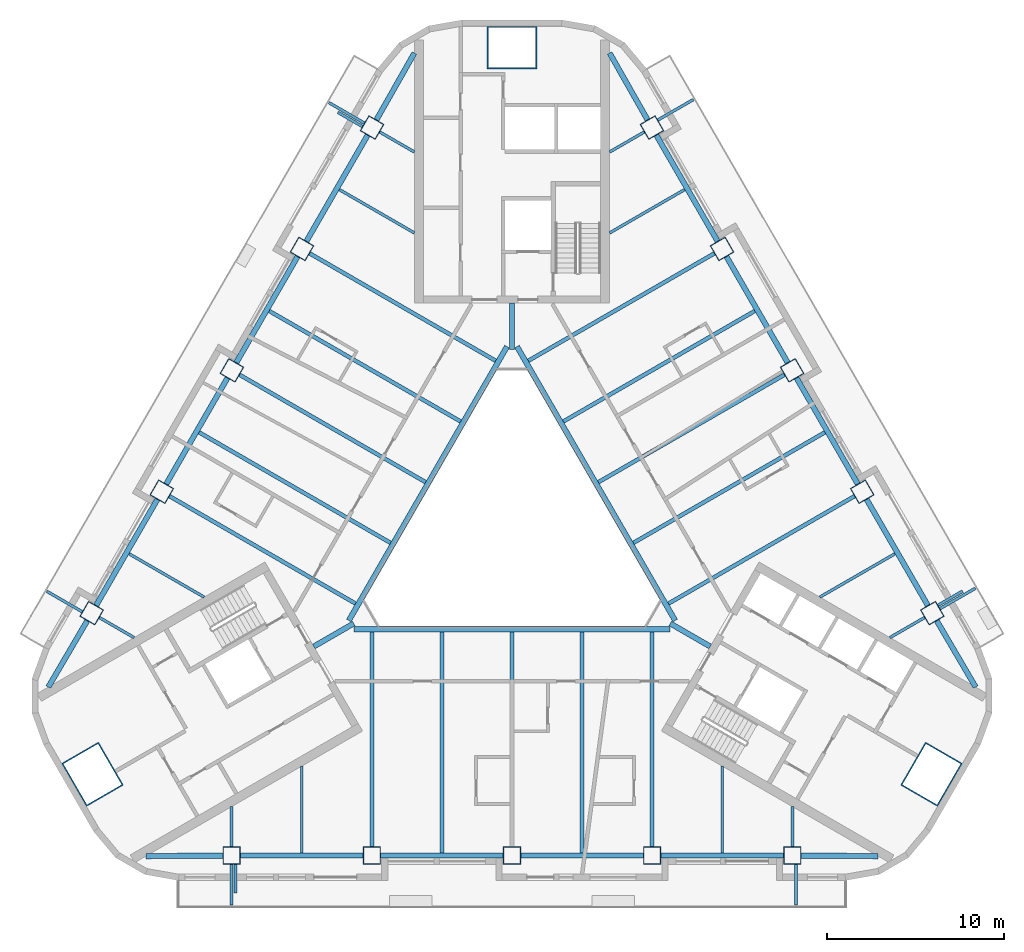
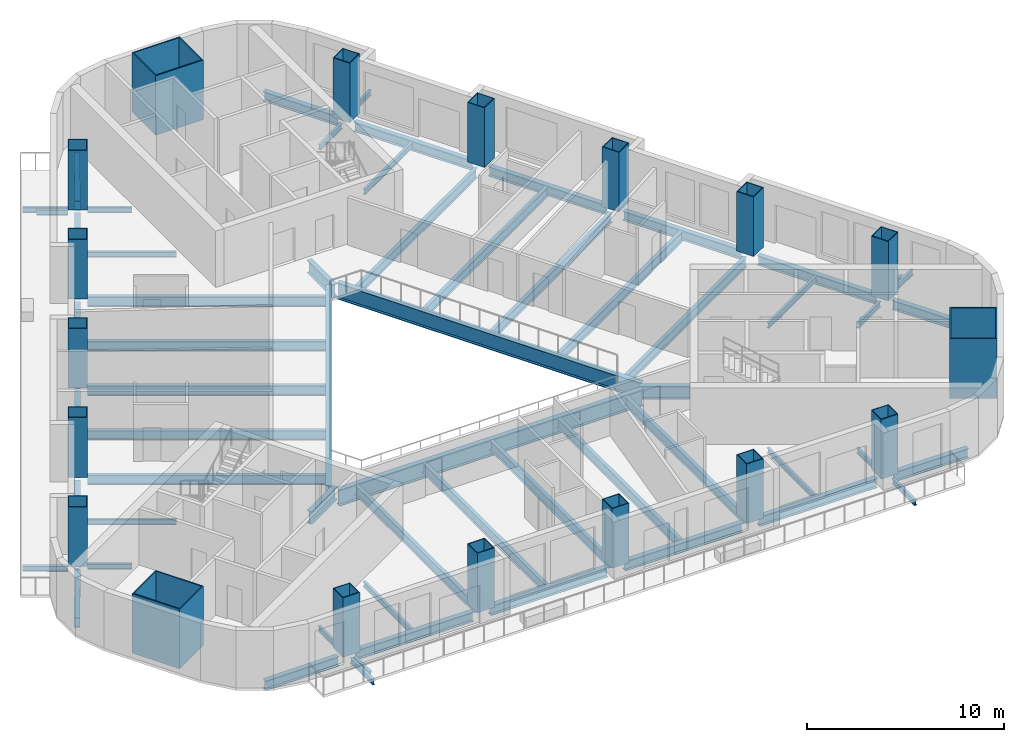
# One storey, part 1 of 13: 60 beams, 18 columns.
"""IFC4 building model written with IfcOpenShell, lengths in metres."""

from ifc_helpers import new_model, si_unit, direction, frame, origin, origin_2d, place, context, subcontext, project, spatial, rectangle, hollow_rectangle, i_section, extrude, material, material_profile, profile_set, type_object, element, save


model = new_model("IFC4")

# Units and contexts
model_context = context("Model", 3, precision=1e-05, world=origin(), true_north=direction((0.0, 1.0)))
body_context = subcontext(model_context, "Body", "Model", "MODEL_VIEW")
ifc_project = project(units=[si_unit("LENGTHUNIT", "METRE"), si_unit("AREAUNIT", "SQUARE_METRE"), si_unit("VOLUMEUNIT", "CUBIC_METRE"), si_unit("PLANEANGLEUNIT", "RADIAN"), si_unit("MASSUNIT", "GRAM", prefix="KILO")], contexts=[model_context])

# Site, building, storey
site_placement = place(None, origin())
site = spatial("IfcSite", under=ifc_project, at=site_placement, CompositionType="ELEMENT")
building_placement = place(site_placement, origin())
building = spatial("IfcBuilding", under=site, at=building_placement, Name="Apuvela Tower Hotel", CompositionType="ELEMENT")
storey_placement = place(building_placement, frame((0.0, 0.0, 65.0)))
storey = spatial("IfcBuildingStorey", under=building, at=storey_placement, Name="L13", CompositionType="ELEMENT", Elevation=65.0)

# Columns
ifc_material_1 = material(Name="Steel S460", Category="steel")
ifc_material_profile_1 = material_profile(ifc_material_1, hollow_rectangle(XDim=2.800048828125, YDim=2.39990234375, WallThickness=0.070068359375, at=origin_2d()), Name="BOX 2800x2400x70")
ifc_material_2 = material(Name="Concrete C80/95", Category="concrete")
ifc_material_profile_2 = material_profile(ifc_material_2, rectangle(XDim=2.659912109375, YDim=2.260009765625, at=origin_2d()), Name="Concrete C80/95 infill")
ifc_profile_set_1 = profile_set([ifc_material_profile_1, ifc_material_profile_2], Name="Steel S460")
column_type_1 = type_object("IfcColumnType", Name="STR-MC mega column BOX 2800x2400x70", PredefinedType="COLUMN", material=ifc_profile_set_1)
for number, where, z_axis, x_axis, name in (
    (1, (0.0, 27.300048828125, 0.0), (0.0, 0.0, 1.0), (1.0, 0.0, 0.0), "Mega column MC2 N"),
    (2, (-23.642578125, -13.64990234375, 0.0), (0.0, 0.0, 1.0), (-0.5, 0.866025403784, 0.0), "Mega column MC2 SW"),
    (3, (23.642578125, -13.64990234375, 0.0), (0.0, 0.0, 1.0), (0.5, 0.866025403784, 0.0), "Mega column MC2 SE"),
):
    element("IfcColumn", number, at=place(storey_placement, frame(where, z_axis=z_axis, x_axis=x_axis)), inside=storey, type_object=column_type_1, Name=name, PredefinedType="COLUMN", context=body_context, shape_type="SweptSolid", body=[
        extrude(hollow_rectangle(XDim=2.800048828125, YDim=2.39990234375, WallThickness=0.070068359375, at=origin_2d()), origin(), (0.0, 0.0, 1.0), 3.699951171875),
    ])
ifc_material_profile_3 = material_profile(ifc_material_1, hollow_rectangle(XDim=1.0, YDim=1.0, WallThickness=0.044921875, at=origin_2d()), Name="BOX 1000x1000x45")
ifc_material_profile_4 = material_profile(ifc_material_2, rectangle(XDim=0.909912109375, YDim=0.909912109375, at=origin_2d()), Name="Concrete C80/95 infill")
ifc_profile_set_2 = profile_set([ifc_material_profile_3, ifc_material_profile_4], Name="Steel S460")
column_type_2 = type_object("IfcColumnType", Name="STR-PC perimeter column BOX 1000x1000x45", PredefinedType="COLUMN", material=ifc_profile_set_2)
for number, where, z_axis, x_axis, name in (
    (4, (-15.800048828125, -18.22998046875, 0.0), (0.0, 0.0, 1.0), (-1.0, 0.0, 0.0), "Perimeter column C2 S1"),
    (5, (-7.89990234375, -18.22998046875, 0.0), (0.0, 0.0, 1.0), (-1.0, 0.0, 0.0), "Perimeter column C2 S2"),
    (6, (0.0, -18.22998046875, 0.0), (0.0, 0.0, 1.0), (-1.0, 0.0, 0.0), "Perimeter column C2 S3"),
    (7, (7.89990234375, -18.22998046875, 0.0), (0.0, 0.0, 1.0), (-1.0, 0.0, 0.0), "Perimeter column C2 S4"),
    (8, (15.800048828125, -18.22998046875, 0.0), (0.0, 0.0, 1.0), (-1.0, 0.0, 0.0), "Perimeter column C2 S5"),
    (9, (23.6875, -4.568115234375, 0.0), (0.0, 0.0, 1.0), (-0.5, 0.866025403784, 0.0), "Perimeter column C2 NE1"),
    (10, (19.737548828125, 2.2734375, 0.0), (0.0, 0.0, 1.0), (-0.5, 0.866025403784, 0.0), "Perimeter column C2 NE2"),
    (11, (15.78759765625, 9.114990234375, 0.0), (0.0, 0.0, 1.0), (-0.5, 0.866025403784, 0.0), "Perimeter column C2 NE3"),
    (12, (11.837646484375, 15.95654296875, 0.0), (0.0, 0.0, 1.0), (-0.5, 0.866025403784, 0.0), "Perimeter column C2 NE4"),
    (13, (7.8876953125, 22.798095703125, 0.0), (0.0, 0.0, 1.0), (-0.5, 0.866025403784, 0.0), "Perimeter column C2 NE5"),
    (14, (-7.8876953125, 22.798095703125, 0.0), (0.0, 0.0, 1.0), (0.5, 0.866025403784, 0.0), "Perimeter column C2 NW1"),
    (15, (-11.837646484375, 15.95654296875, 0.0), (0.0, 0.0, 1.0), (0.5, 0.866025403784, 0.0), "Perimeter column C2 NW2"),
    (16, (-15.78759765625, 9.114990234375, 0.0), (0.0, 0.0, 1.0), (0.5, 0.866025403784, 0.0), "Perimeter column C2 NW3"),
    (17, (-19.737548828125, 2.2734375, 0.0), (0.0, 0.0, 1.0), (0.5, 0.866025403784, 0.0), "Perimeter column C2 NW4"),
    (18, (-23.6875, -4.568115234375, 0.0), (0.0, 0.0, 1.0), (0.5, 0.866025403784, 0.0), "Perimeter column C2 NW5"),
):
    element("IfcColumn", number, at=place(storey_placement, frame(where, z_axis=z_axis, x_axis=x_axis)), inside=storey, type_object=column_type_2, Name=name, PredefinedType="COLUMN", context=body_context, shape_type="SweptSolid", body=[
        extrude(hollow_rectangle(XDim=1.0, YDim=1.0, WallThickness=0.044921875, at=origin_2d()), origin(), (0.0, 0.0, 1.0), 3.699951171875),
    ])

# Beams
ifc_material_3 = material(Name="Steel S355", Category="steel")
ifc_material_profile_5 = material_profile(ifc_material_3, i_section(OverallWidth=0.159912109375, OverallDepth=0.330078125, WebThickness=0.007568359375, FlangeThickness=0.011474609375, at=origin_2d()), Name="IPE 330")
ifc_profile_set_3 = profile_set([ifc_material_profile_5], Name="Steel S355")
beam_type_1 = type_object("IfcBeamType", Name="ENV-BALCONY-BEAM-IPE330", PredefinedType="BEAM", material=ifc_profile_set_3)
beam_1_placement = place(storey_placement, frame((-15.800048828125, -18.72998046875, -0.31494140625), z_axis=(0.0, -1.0, 0.0), x_axis=(1.0, 0.0, 0.0)))
element("IfcBeam", 19, at=beam_1_placement, inside=storey, type_object=beam_type_1, Name="Balcony cantilever beam S1 L13", PredefinedType="BEAM", context=body_context, shape_type="SweptSolid", body=[
    extrude(i_section(OverallWidth=0.159912109375, OverallDepth=0.330078125, WebThickness=0.007568359375, FlangeThickness=0.011474609375, at=origin_2d()), origin(), (0.0, 0.0, 1.0), 2.300048828125),
])
beam_2_placement = place(storey_placement, frame((-15.580078125, -18.72998046875, -0.31494140625), z_axis=(0.0, -1.0, 0.0), x_axis=(1.0, 0.0, 0.0)))
element("IfcBeam", 20, at=beam_2_placement, inside=storey, type_object=beam_type_1, Name="Balcony cantilever beam S2 L13", PredefinedType="BEAM", context=body_context, shape_type="SweptSolid", body=[
    extrude(i_section(OverallWidth=0.159912109375, OverallDepth=0.330078125, WebThickness=0.007568359375, FlangeThickness=0.011474609375, at=origin_2d()), origin(), (0.0, 0.0, 1.0), 1.60009765625),
])
for number, where, z_axis, x_axis, name in (
    (21, (16.0, -18.72998046875, -0.31494140625), (0.0, -1.0, 0.0), (1.0, 0.0, 0.0), "Balcony cantilever beam S3 L13"),
    (22, (24.12060546875, -4.318115234375, -0.31494140625), (0.866053019151, 0.499952165731, 0.0), (-0.499952165731, 0.866053019151, 0.0), "Balcony cantilever beam NE1 L13"),
):
    element("IfcBeam", number, at=place(storey_placement, frame(where, z_axis=z_axis, x_axis=x_axis)), inside=storey, type_object=beam_type_1, Name=name, PredefinedType="BEAM", context=body_context, shape_type="SweptSolid", body=[
        extrude(i_section(OverallWidth=0.159912109375, OverallDepth=0.330078125, WebThickness=0.007568359375, FlangeThickness=0.011474609375, at=origin_2d()), origin(), (0.0, 0.0, 1.0), 2.300048828125),
    ])
beam_3_placement = place(storey_placement, frame((24.0107421875, -4.127685546875, -0.31494140625), z_axis=(0.865989903783, 0.500061482766, 0.0), x_axis=(-0.500061482766, 0.865989903783, 0.0)))
element("IfcBeam", 23, at=beam_3_placement, inside=storey, type_object=beam_type_1, Name="Balcony cantilever beam NE2 L13", PredefinedType="BEAM", context=body_context, shape_type="SweptSolid", body=[
    extrude(i_section(OverallWidth=0.159912109375, OverallDepth=0.330078125, WebThickness=0.007568359375, FlangeThickness=0.011474609375, at=origin_2d()), origin(), (0.0, 0.0, 1.0), 1.599853515625),
])
beam_4_placement = place(storey_placement, frame((8.220703125, 23.221435546875, -0.31494140625), z_axis=(0.86602648383, 0.499998129301, 0.0), x_axis=(-0.499998129301, 0.86602648383, 0.0)))
element("IfcBeam", 24, at=beam_4_placement, inside=storey, type_object=beam_type_1, Name="Balcony cantilever beam NE3 L13", PredefinedType="BEAM", context=body_context, shape_type="SweptSolid", body=[
    extrude(i_section(OverallWidth=0.159912109375, OverallDepth=0.330078125, WebThickness=0.007568359375, FlangeThickness=0.011474609375, at=origin_2d()), origin(), (0.0, 0.0, 1.0), 2.2998046875),
])
beam_5_placement = place(storey_placement, frame((-8.32080078125, 23.048095703125, -0.31494140625), z_axis=(-0.865980515519, 0.500077740698, 0.0), x_axis=(-0.500077740698, -0.865980515519, 0.0)))
element("IfcBeam", 25, at=beam_5_placement, inside=storey, type_object=beam_type_1, Name="Balcony cantilever beam NW1 L13", PredefinedType="BEAM", context=body_context, shape_type="SweptSolid", body=[
    extrude(i_section(OverallWidth=0.159912109375, OverallDepth=0.330078125, WebThickness=0.007568359375, FlangeThickness=0.011474609375, at=origin_2d()), origin(), (0.0, 0.0, 1.0), 2.300048828125),
])
beam_6_placement = place(storey_placement, frame((-8.4306640625, 22.857666015625, -0.31494140625), z_axis=(-0.866028054938, 0.499995408039, 0.0), x_axis=(-0.499995408039, -0.866028054938, 0.0)))
element("IfcBeam", 26, at=beam_6_placement, inside=storey, type_object=beam_type_1, Name="Balcony cantilever beam NW2 L13", PredefinedType="BEAM", context=body_context, shape_type="SweptSolid", body=[
    extrude(i_section(OverallWidth=0.159912109375, OverallDepth=0.330078125, WebThickness=0.007568359375, FlangeThickness=0.011474609375, at=origin_2d()), origin(), (0.0, 0.0, 1.0), 1.60009765625),
])
beam_7_placement = place(storey_placement, frame((-24.220703125, -4.491455078125, -0.31494140625), z_axis=(-0.865980515519, 0.500077740698, 0.0), x_axis=(-0.500077740698, -0.865980515519, 0.0)))
element("IfcBeam", 27, at=beam_7_placement, inside=storey, type_object=beam_type_1, Name="Balcony cantilever beam NW3 L13", PredefinedType="BEAM", context=body_context, shape_type="SweptSolid", body=[
    extrude(i_section(OverallWidth=0.159912109375, OverallDepth=0.330078125, WebThickness=0.007568359375, FlangeThickness=0.011474609375, at=origin_2d()), origin(), (0.0, 0.0, 1.0), 2.300048828125),
])
ifc_material_profile_6 = material_profile(ifc_material_3, i_section(OverallWidth=0.159912109375, OverallDepth=0.330078125, WebThickness=0.007568359375, FlangeThickness=0.011474609375, at=origin_2d()), Name="IPE 330")
ifc_profile_set_4 = profile_set([ifc_material_profile_6], Name="Steel S355")
beam_type_2 = type_object("IfcBeamType", Name="STR-B floor beam IPE 330", PredefinedType="BEAM", material=ifc_profile_set_4)
beam_8_placement = place(storey_placement, frame((23.254638671875, -4.818115234375, -0.31494140625), z_axis=(-0.865991034588, -0.500059524469, 0.0), x_axis=(0.500059524469, -0.865991034588, 0.0)))
element("IfcBeam", 28, at=beam_8_placement, inside=storey, type_object=beam_type_2, Name="Floor beam B1 NE1", PredefinedType="BEAM", context=body_context, shape_type="SweptSolid", body=[
    extrude(i_section(OverallWidth=0.159912109375, OverallDepth=0.330078125, WebThickness=0.007568359375, FlangeThickness=0.011474609375, at=origin_2d()), origin(), (0.0, 0.0, 1.0), 2.257080078125),
])
for number, where, z_axis, x_axis, name in (
    (29, (21.582763671875, -1.222412109375, -0.31494140625), (-0.866015056278, -0.500017921979, 0.0), (0.500017921979, -0.866015056278, 0.0), "Floor beam B1 NE2"),
    (30, (9.732666015625, 19.302490234375, -0.31494140625), (-0.866015056278, -0.500017921979, 0.0), (0.500017921979, -0.866015056278, 0.0), "Floor beam B1 NE8"),
):
    element("IfcBeam", number, at=place(storey_placement, frame(where, z_axis=z_axis, x_axis=x_axis)), inside=storey, type_object=beam_type_2, Name=name, PredefinedType="BEAM", context=body_context, shape_type="SweptSolid", body=[
        extrude(i_section(OverallWidth=0.159912109375, OverallDepth=0.330078125, WebThickness=0.007568359375, FlangeThickness=0.011474609375, at=origin_2d()), origin(), (0.0, 0.0, 1.0), 4.887451171875),
    ])
for number, where, z_axis, x_axis, name in (
    (31, (7.45458984375, 22.548095703125, -0.31494140625), (-0.86603787505, -0.499978398512, 0.0), (0.499978398512, -0.86603787505, 0.0), "Floor beam B1 NE9"),
    (32, (-7.45458984375, 22.548095703125, -0.31494140625), (0.86603787505, -0.499978398512, 0.0), (0.499978398512, 0.86603787505, 0.0), "Floor beam B1 NW1"),
):
    element("IfcBeam", number, at=place(storey_placement, frame(where, z_axis=z_axis, x_axis=x_axis)), inside=storey, type_object=beam_type_2, Name=name, PredefinedType="BEAM", context=body_context, shape_type="SweptSolid", body=[
        extrude(i_section(OverallWidth=0.159912109375, OverallDepth=0.330078125, WebThickness=0.007568359375, FlangeThickness=0.011474609375, at=origin_2d()), origin(), (0.0, 0.0, 1.0), 2.2568359375),
    ])
for number, where, z_axis, x_axis, name in (
    (33, (-9.732666015625, 19.302490234375, -0.31494140625), (0.866015056278, -0.500017921979, 0.0), (0.500017921979, 0.866015056278, 0.0), "Floor beam B1 NW2"),
    (34, (-21.582763671875, -1.222412109375, -0.31494140625), (0.866015056278, -0.500017921979, 0.0), (0.500017921979, 0.866015056278, 0.0), "Floor beam B1 NW8"),
):
    element("IfcBeam", number, at=place(storey_placement, frame(where, z_axis=z_axis, x_axis=x_axis)), inside=storey, type_object=beam_type_2, Name=name, PredefinedType="BEAM", context=body_context, shape_type="SweptSolid", body=[
        extrude(i_section(OverallWidth=0.159912109375, OverallDepth=0.330078125, WebThickness=0.007568359375, FlangeThickness=0.011474609375, at=origin_2d()), origin(), (0.0, 0.0, 1.0), 4.887451171875),
    ])
for number, where, z_axis, x_axis, name in (
    (35, (-23.254638671875, -4.818115234375, -0.31494140625), (0.865991034588, -0.500059524469, 0.0), (0.500059524469, 0.865991034588, 0.0), "Floor beam B1 NW9"),
    (36, (-15.800048828125, -17.72998046875, -0.31494140625), (0.0, 1.0, 0.0), (-1.0, 0.0, 0.0), "Floor beam B1 S1"),
):
    element("IfcBeam", number, at=place(storey_placement, frame(where, z_axis=z_axis, x_axis=x_axis)), inside=storey, type_object=beam_type_2, Name=name, PredefinedType="BEAM", context=body_context, shape_type="SweptSolid", body=[
        extrude(i_section(OverallWidth=0.159912109375, OverallDepth=0.330078125, WebThickness=0.007568359375, FlangeThickness=0.011474609375, at=origin_2d()), origin(), (0.0, 0.0, 1.0), 2.257080078125),
    ])
for number, where, z_axis, x_axis, name in (
    (37, (-11.85009765625, -18.080078125, -0.31494140625), (0.0, 1.0, 0.0), (-1.0, 0.0, 0.0), "Floor beam B1 S2"),
    (38, (11.85009765625, -18.080078125, -0.31494140625), (0.0, 1.0, 0.0), (-1.0, 0.0, 0.0), "Floor beam B1 S8"),
):
    element("IfcBeam", number, at=place(storey_placement, frame(where, z_axis=z_axis, x_axis=x_axis)), inside=storey, type_object=beam_type_2, Name=name, PredefinedType="BEAM", context=body_context, shape_type="SweptSolid", body=[
        extrude(i_section(OverallWidth=0.159912109375, OverallDepth=0.330078125, WebThickness=0.007568359375, FlangeThickness=0.011474609375, at=origin_2d()), origin(), (0.0, 0.0, 1.0), 4.8876953125),
    ])
beam_9_placement = place(storey_placement, frame((15.800048828125, -17.72998046875, -0.31494140625), z_axis=(0.0, 1.0, 0.0), x_axis=(-1.0, 0.0, 0.0)))
element("IfcBeam", 39, at=beam_9_placement, inside=storey, type_object=beam_type_2, Name="Floor beam B1 S9", PredefinedType="BEAM", context=body_context, shape_type="SweptSolid", body=[
    extrude(i_section(OverallWidth=0.159912109375, OverallDepth=0.330078125, WebThickness=0.007568359375, FlangeThickness=0.011474609375, at=origin_2d()), origin(), (0.0, 0.0, 1.0), 2.257080078125),
])
ifc_material_profile_7 = material_profile(ifc_material_3, i_section(OverallWidth=0.219970703125, OverallDepth=0.60009765625, WebThickness=0.011962890625, FlangeThickness=0.01904296875, at=origin_2d()), Name="IPE 600")
ifc_profile_set_5 = profile_set([ifc_material_profile_7], Name="Steel S355")
beam_type_3 = type_object("IfcBeamType", Name="STR-B floor beam IPE 600", PredefinedType="BEAM", material=ifc_profile_set_5)
beam_10_placement = place(storey_placement, frame((19.3046875, 2.0234375, -0.449951171875), z_axis=(-0.866027098151, -0.499997065259, 0.0), x_axis=(0.499997065259, -0.866027098151, 0.0)))
element("IfcBeam", 40, at=beam_10_placement, inside=storey, type_object=beam_type_3, Name="Floor beam B8 NE3", PredefinedType="BEAM", context=body_context, shape_type="SweptSolid", body=[
    extrude(i_section(OverallWidth=0.219970703125, OverallDepth=0.60009765625, WebThickness=0.011962890625, FlangeThickness=0.01904296875, at=origin_2d()), origin(), (0.0, 0.0, 1.0), 12.10791015625),
])
beam_11_placement = place(storey_placement, frame((17.6328125, 5.619140625, -0.449951171875), z_axis=(-0.866027636335, -0.499996133089, 0.0), x_axis=(0.499996133089, -0.866027636335, 0.0)))
element("IfcBeam", 41, at=beam_11_placement, inside=storey, type_object=beam_type_3, Name="Floor beam B8 NE4", PredefinedType="BEAM", context=body_context, shape_type="SweptSolid", body=[
    extrude(i_section(OverallWidth=0.219970703125, OverallDepth=0.60009765625, WebThickness=0.011962890625, FlangeThickness=0.01904296875, at=origin_2d()), origin(), (0.0, 0.0, 1.0), 12.4580078125),
])
beam_12_placement = place(storey_placement, frame((15.3544921875, 8.864990234375, -0.449951171875), z_axis=(-0.866022057176, -0.500005796451, 0.0), x_axis=(0.500005796451, -0.866022057176, 0.0)))
element("IfcBeam", 42, at=beam_12_placement, inside=storey, type_object=beam_type_3, Name="Floor beam B8 NE5", PredefinedType="BEAM", context=body_context, shape_type="SweptSolid", body=[
    extrude(i_section(OverallWidth=0.219970703125, OverallDepth=0.60009765625, WebThickness=0.011962890625, FlangeThickness=0.01904296875, at=origin_2d()), origin(), (0.0, 0.0, 1.0), 12.107666015625),
])
beam_13_placement = place(storey_placement, frame((13.6826171875, 12.460693359375, -0.449951171875), z_axis=(-0.866022737053, -0.500004618886, 0.0), x_axis=(0.500004618886, -0.866022737053, 0.0)))
element("IfcBeam", 43, at=beam_13_placement, inside=storey, type_object=beam_type_3, Name="Floor beam B8 NE6", PredefinedType="BEAM", context=body_context, shape_type="SweptSolid", body=[
    extrude(i_section(OverallWidth=0.219970703125, OverallDepth=0.60009765625, WebThickness=0.011962890625, FlangeThickness=0.01904296875, at=origin_2d()), origin(), (0.0, 0.0, 1.0), 12.4580078125),
])
for number, where, z_axis, x_axis, name in (
    (44, (11.404541015625, 15.70654296875, -0.449951171875), (-0.866027098151, -0.499997065259, 0.0), (0.499997065259, -0.866027098151, 0.0), "Floor beam B8 NE7"),
    (45, (-11.404541015625, 15.70654296875, -0.449951171875), (0.866027098151, -0.499997065259, 0.0), (0.499997065259, 0.866027098151, 0.0), "Floor beam B8 NW3"),
):
    element("IfcBeam", number, at=place(storey_placement, frame(where, z_axis=z_axis, x_axis=x_axis)), inside=storey, type_object=beam_type_3, Name=name, PredefinedType="BEAM", context=body_context, shape_type="SweptSolid", body=[
        extrude(i_section(OverallWidth=0.219970703125, OverallDepth=0.60009765625, WebThickness=0.011962890625, FlangeThickness=0.01904296875, at=origin_2d()), origin(), (0.0, 0.0, 1.0), 12.10791015625),
    ])
beam_14_placement = place(storey_placement, frame((-13.6826171875, 12.460693359375, -0.449951171875), z_axis=(0.866022737053, -0.500004618886, 0.0), x_axis=(0.500004618886, 0.866022737053, 0.0)))
element("IfcBeam", 46, at=beam_14_placement, inside=storey, type_object=beam_type_3, Name="Floor beam B8 NW4", PredefinedType="BEAM", context=body_context, shape_type="SweptSolid", body=[
    extrude(i_section(OverallWidth=0.219970703125, OverallDepth=0.60009765625, WebThickness=0.011962890625, FlangeThickness=0.01904296875, at=origin_2d()), origin(), (0.0, 0.0, 1.0), 12.4580078125),
])
beam_15_placement = place(storey_placement, frame((-15.3544921875, 8.864990234375, -0.449951171875), z_axis=(0.866022057176, -0.500005796451, 0.0), x_axis=(0.500005796451, 0.866022057176, 0.0)))
element("IfcBeam", 47, at=beam_15_placement, inside=storey, type_object=beam_type_3, Name="Floor beam B8 NW5", PredefinedType="BEAM", context=body_context, shape_type="SweptSolid", body=[
    extrude(i_section(OverallWidth=0.219970703125, OverallDepth=0.60009765625, WebThickness=0.011962890625, FlangeThickness=0.01904296875, at=origin_2d()), origin(), (0.0, 0.0, 1.0), 12.107666015625),
])
beam_16_placement = place(storey_placement, frame((-17.6328125, 5.619140625, -0.449951171875), z_axis=(0.866027636335, -0.499996133089, 0.0), x_axis=(0.499996133089, 0.866027636335, 0.0)))
element("IfcBeam", 48, at=beam_16_placement, inside=storey, type_object=beam_type_3, Name="Floor beam B8 NW6", PredefinedType="BEAM", context=body_context, shape_type="SweptSolid", body=[
    extrude(i_section(OverallWidth=0.219970703125, OverallDepth=0.60009765625, WebThickness=0.011962890625, FlangeThickness=0.01904296875, at=origin_2d()), origin(), (0.0, 0.0, 1.0), 12.4580078125),
])
for number, where, z_axis, x_axis, name in (
    (49, (-19.3046875, 2.0234375, -0.449951171875), (0.866027098151, -0.499997065259, 0.0), (0.499997065259, 0.866027098151, 0.0), "Floor beam B8 NW7"),
    (50, (-7.89990234375, -17.72998046875, -0.449951171875), (0.0, 1.0, 0.0), (-1.0, 0.0, 0.0), "Floor beam B8 S3"),
):
    element("IfcBeam", number, at=place(storey_placement, frame(where, z_axis=z_axis, x_axis=x_axis)), inside=storey, type_object=beam_type_3, Name=name, PredefinedType="BEAM", context=body_context, shape_type="SweptSolid", body=[
        extrude(i_section(OverallWidth=0.219970703125, OverallDepth=0.60009765625, WebThickness=0.011962890625, FlangeThickness=0.01904296875, at=origin_2d()), origin(), (0.0, 0.0, 1.0), 12.10791015625),
    ])
beam_17_placement = place(storey_placement, frame((-3.949951171875, -18.080078125, -0.449951171875), z_axis=(0.0, 1.0, 0.0), x_axis=(-1.0, 0.0, 0.0)))
element("IfcBeam", 51, at=beam_17_placement, inside=storey, type_object=beam_type_3, Name="Floor beam B8 S4", PredefinedType="BEAM", context=body_context, shape_type="SweptSolid", body=[
    extrude(i_section(OverallWidth=0.219970703125, OverallDepth=0.60009765625, WebThickness=0.011962890625, FlangeThickness=0.01904296875, at=origin_2d()), origin(), (0.0, 0.0, 1.0), 12.4580078125),
])
beam_18_placement = place(storey_placement, frame((0.0, -17.72998046875, -0.449951171875), z_axis=(0.0, 1.0, 0.0), x_axis=(-1.0, 0.0, 0.0)))
element("IfcBeam", 52, at=beam_18_placement, inside=storey, type_object=beam_type_3, Name="Floor beam B8 S5", PredefinedType="BEAM", context=body_context, shape_type="SweptSolid", body=[
    extrude(i_section(OverallWidth=0.219970703125, OverallDepth=0.60009765625, WebThickness=0.011962890625, FlangeThickness=0.01904296875, at=origin_2d()), origin(), (0.0, 0.0, 1.0), 12.10791015625),
])
beam_19_placement = place(storey_placement, frame((3.949951171875, -18.080078125, -0.449951171875), z_axis=(0.0, 1.0, 0.0), x_axis=(-1.0, 0.0, 0.0)))
element("IfcBeam", 53, at=beam_19_placement, inside=storey, type_object=beam_type_3, Name="Floor beam B8 S6", PredefinedType="BEAM", context=body_context, shape_type="SweptSolid", body=[
    extrude(i_section(OverallWidth=0.219970703125, OverallDepth=0.60009765625, WebThickness=0.011962890625, FlangeThickness=0.01904296875, at=origin_2d()), origin(), (0.0, 0.0, 1.0), 12.4580078125),
])
beam_20_placement = place(storey_placement, frame((7.89990234375, -17.72998046875, -0.449951171875), z_axis=(0.0, 1.0, 0.0), x_axis=(-1.0, 0.0, 0.0)))
element("IfcBeam", 54, at=beam_20_placement, inside=storey, type_object=beam_type_3, Name="Floor beam B8 S7", PredefinedType="BEAM", context=body_context, shape_type="SweptSolid", body=[
    extrude(i_section(OverallWidth=0.219970703125, OverallDepth=0.60009765625, WebThickness=0.011962890625, FlangeThickness=0.01904296875, at=origin_2d()), origin(), (0.0, 0.0, 1.0), 12.10791015625),
])
ifc_material_profile_8 = material_profile(ifc_material_3, i_section(OverallWidth=0.302001953125, OverallDepth=1.008056640625, WebThickness=0.02099609375, FlangeThickness=0.0400390625, at=origin_2d()), Name="HE 1000 M")
ifc_profile_set_6 = profile_set([ifc_material_profile_8], Name="Steel S355")
beam_type_4 = type_object("IfcBeamType", Name="STR-G atrium ring girder HE 1000 M", PredefinedType="BEAM", material=ifc_profile_set_6)
for number, where, z_axis, x_axis, name in (
    (55, (-0.28076171875, 10.455810546875, -0.654052734375), (-0.500000611842, -0.866025050537, 0.0), (0.866025050537, -0.500000611842, 0.0), "Atrium ring girder G1 N-SW"),
    (56, (-8.91455078125, -5.470947265625, -0.654052734375), (1.0, 0.0, 0.0), (0.0, 1.0, 0.0), "Atrium ring girder G1 SW-SE"),
    (57, (9.1953125, -4.984619140625, -0.654052734375), (-0.500000611842, 0.866025050537, 0.0), (-0.866025050537, -0.500000611842, 0.0), "Atrium ring girder G1 SE-N"),
):
    element("IfcBeam", number, at=place(storey_placement, frame(where, z_axis=z_axis, x_axis=x_axis)), inside=storey, type_object=beam_type_4, Name=name, PredefinedType="BEAM", context=body_context, shape_type="SweptSolid", body=[
        extrude(i_section(OverallWidth=0.302001953125, OverallDepth=1.008056640625, WebThickness=0.02099609375, FlangeThickness=0.0400390625, at=origin_2d()), origin(), (0.0, 0.0, 1.0), 17.8291015625),
    ])
ifc_material_profile_9 = material_profile(ifc_material_3, i_section(OverallWidth=0.300048828125, OverallDepth=0.800048828125, WebThickness=0.017578125, FlangeThickness=0.032958984375, at=origin_2d()), Name="HE 800 B")
ifc_profile_set_7 = profile_set([ifc_material_profile_9], Name="Steel S355")
beam_type_5 = type_object("IfcBeamType", Name="STR-GT core tie beam HE 800 B", PredefinedType="BEAM", material=ifc_profile_set_7)
for number, where, z_axis, x_axis, name in (
    (58, (0.0, 12.89990234375, -0.550048828125), (0.0, -1.0, 0.0), (1.0, 0.0, 0.0), "Core tie beam GT1 N"),
    (59, (-11.171630859375, -6.449951171875, -0.550048828125), (0.865997922154, 0.500047596559, 0.0), (-0.500047596559, 0.865997922154, 0.0), "Core tie beam GT1 SW"),
    (60, (11.171630859375, -6.449951171875, -0.550048828125), (-0.865997922154, 0.500047596559, 0.0), (-0.500047596559, -0.865997922154, 0.0), "Core tie beam GT1 SE"),
):
    element("IfcBeam", number, at=place(storey_placement, frame(where, z_axis=z_axis, x_axis=x_axis)), inside=storey, type_object=beam_type_5, Name=name, PredefinedType="BEAM", context=body_context, shape_type="SweptSolid", body=[
        extrude(i_section(OverallWidth=0.300048828125, OverallDepth=0.800048828125, WebThickness=0.017578125, FlangeThickness=0.032958984375, at=origin_2d()), origin(), (0.0, 0.0, 1.0), 2.599853515625),
    ])
ifc_material_profile_10 = material_profile(ifc_material_3, i_section(OverallWidth=0.300048828125, OverallDepth=0.590087890625, WebThickness=0.012939453125, FlangeThickness=0.02490234375, at=origin_2d()), Name="HE 600 A")
ifc_profile_set_8 = profile_set([ifc_material_profile_10], Name="Steel S355")
beam_type_6 = type_object("IfcBeamType", Name="STR-SB spandrel beam HE 600 A", PredefinedType="SPANDREL", material=ifc_profile_set_8)
beam_21_placement = place(storey_placement, frame((-15.300048828125, -18.22998046875, -0.445068359375), z_axis=(1.0, 0.0, 0.0), x_axis=(0.0, 1.0, 0.0)))
element("IfcBeam", 61, at=beam_21_placement, inside=storey, type_object=beam_type_6, Name="Spandrel beam SB2 S1", PredefinedType="SPANDREL", context=body_context, shape_type="SweptSolid", body=[
    extrude(i_section(OverallWidth=0.300048828125, OverallDepth=0.590087890625, WebThickness=0.012939453125, FlangeThickness=0.02490234375, at=origin_2d()), origin(), (0.0, 0.0, 1.0), 6.900146484375),
])
for number, where, z_axis, x_axis, name in (
    (62, (-7.39990234375, -18.22998046875, -0.445068359375), (1.0, 0.0, 0.0), (0.0, 1.0, 0.0), "Spandrel beam SB2 S2"),
    (63, (0.5, -18.22998046875, -0.445068359375), (1.0, 0.0, 0.0), (0.0, 1.0, 0.0), "Spandrel beam SB2 S3"),
):
    element("IfcBeam", number, at=place(storey_placement, frame(where, z_axis=z_axis, x_axis=x_axis)), inside=storey, type_object=beam_type_6, Name=name, PredefinedType="SPANDREL", context=body_context, shape_type="SweptSolid", body=[
        extrude(i_section(OverallWidth=0.300048828125, OverallDepth=0.590087890625, WebThickness=0.012939453125, FlangeThickness=0.02490234375, at=origin_2d()), origin(), (0.0, 0.0, 1.0), 6.89990234375),
    ])
beam_22_placement = place(storey_placement, frame((8.39990234375, -18.22998046875, -0.445068359375), z_axis=(1.0, 0.0, 0.0), x_axis=(0.0, 1.0, 0.0)))
element("IfcBeam", 64, at=beam_22_placement, inside=storey, type_object=beam_type_6, Name="Spandrel beam SB2 S4", PredefinedType="SPANDREL", context=body_context, shape_type="SweptSolid", body=[
    extrude(i_section(OverallWidth=0.300048828125, OverallDepth=0.590087890625, WebThickness=0.012939453125, FlangeThickness=0.02490234375, at=origin_2d()), origin(), (0.0, 0.0, 1.0), 6.900146484375),
])
for number, where, z_axis, x_axis, name in (
    (65, (23.4375, -4.13525390625, -0.445068359375), (-0.499994024137, 0.866028853923, 0.0), (-0.866028853923, -0.499994024137, 0.0), "Spandrel beam SB2 NE1"),
    (66, (19.487548828125, 2.706298828125, -0.445068359375), (-0.499994024137, 0.866028853923, 0.0), (-0.866028853923, -0.499994024137, 0.0), "Spandrel beam SB2 NE2"),
    (67, (15.53759765625, 9.548095703125, -0.445068359375), (-0.499994024137, 0.866028853923, 0.0), (-0.866028853923, -0.499994024137, 0.0), "Spandrel beam SB2 NE3"),
    (68, (11.587646484375, 16.3896484375, -0.445068359375), (-0.499994024137, 0.866028853923, 0.0), (-0.866028853923, -0.499994024137, 0.0), "Spandrel beam SB2 NE4"),
    (69, (-8.1376953125, 22.365234375, -0.445068359375), (-0.499994024137, -0.866028853923, 0.0), (0.866028853923, -0.499994024137, 0.0), "Spandrel beam SB2 NW1"),
    (70, (-12.087646484375, 15.523681640625, -0.445068359375), (-0.499994024137, -0.866028853923, 0.0), (0.866028853923, -0.499994024137, 0.0), "Spandrel beam SB2 NW2"),
    (71, (-16.03759765625, 8.681884765625, -0.445068359375), (-0.499994024137, -0.866028853923, 0.0), (0.866028853923, -0.499994024137, 0.0), "Spandrel beam SB2 NW3"),
    (72, (-19.987548828125, 1.84033203125, -0.445068359375), (-0.499994024137, -0.866028853923, 0.0), (0.866028853923, -0.499994024137, 0.0), "Spandrel beam SB2 NW4"),
):
    element("IfcBeam", number, at=place(storey_placement, frame(where, z_axis=z_axis, x_axis=x_axis)), inside=storey, type_object=beam_type_6, Name=name, PredefinedType="SPANDREL", context=body_context, shape_type="SweptSolid", body=[
        extrude(i_section(OverallWidth=0.300048828125, OverallDepth=0.590087890625, WebThickness=0.012939453125, FlangeThickness=0.02490234375, at=origin_2d()), origin(), (0.0, 0.0, 1.0), 6.89990234375),
    ])
for number, where, z_axis, x_axis, name in (
    (73, (-16.300048828125, -18.2333984375, -0.445068359375), (-0.999976372141, -0.00687423888, 0.0), (0.00687423888, -0.999976372141, 0.0), "Spandrel beam SB2 S1-SW"),
    (74, (16.300048828125, -18.2333984375, -0.445068359375), (0.999976372141, -0.00687423888, 0.0), (0.00687423888, 0.999976372141, 0.0), "Spandrel beam SB2 S5-SE"),
    (75, (23.940673828125, -4.99951171875, -0.445068359375), (0.505943625762, -0.862566546738, 0.0), (0.862566546738, 0.505943625762, 0.0), "Spandrel beam SB2 NE1-SE"),
    (76, (7.640625, 23.23291015625, -0.445068359375), (-0.494050066642, 0.869433454412, 0.0), (-0.869433454412, -0.494050066642, 0.0), "Spandrel beam SB2 NE5-N"),
    (77, (-7.640625, 23.23291015625, -0.445068359375), (0.494050066642, 0.869433454412, 0.0), (-0.869433454412, 0.494050066642, 0.0), "Spandrel beam SB2 NW1-N"),
    (78, (-23.940673828125, -4.99951171875, -0.445068359375), (-0.505943625762, -0.862566546738, 0.0), (0.862566546738, -0.505943625762, 0.0), "Spandrel beam SB2 NW5-SW"),
):
    element("IfcBeam", number, at=place(storey_placement, frame(where, z_axis=z_axis, x_axis=x_axis)), inside=storey, type_object=beam_type_6, Name=name, PredefinedType="SPANDREL", context=body_context, shape_type="SweptSolid", body=[
        extrude(i_section(OverallWidth=0.300048828125, OverallDepth=0.590087890625, WebThickness=0.012939453125, FlangeThickness=0.02490234375, at=origin_2d()), origin(), (0.0, 0.0, 1.0), 4.332763671875),
    ])

save(model, "model.ifc")
